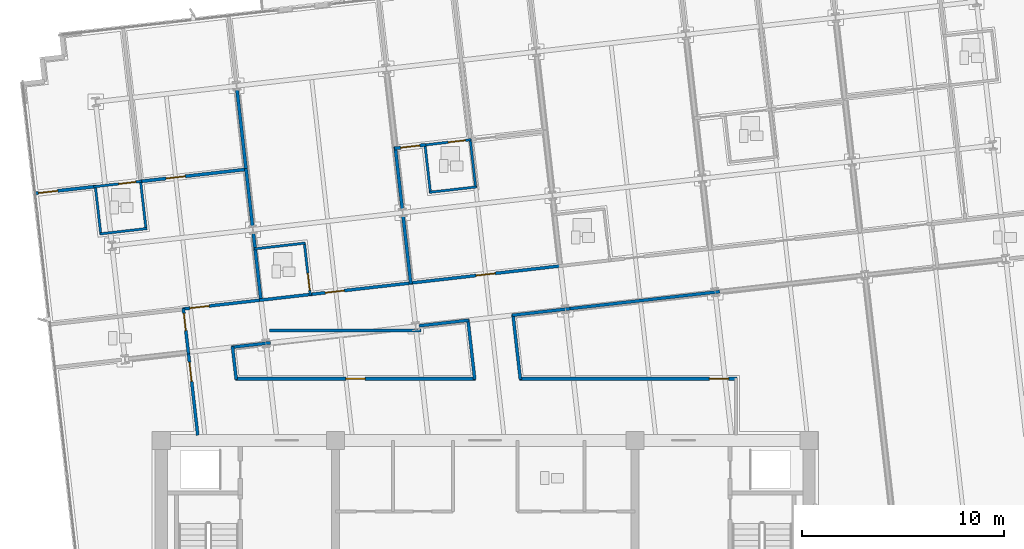
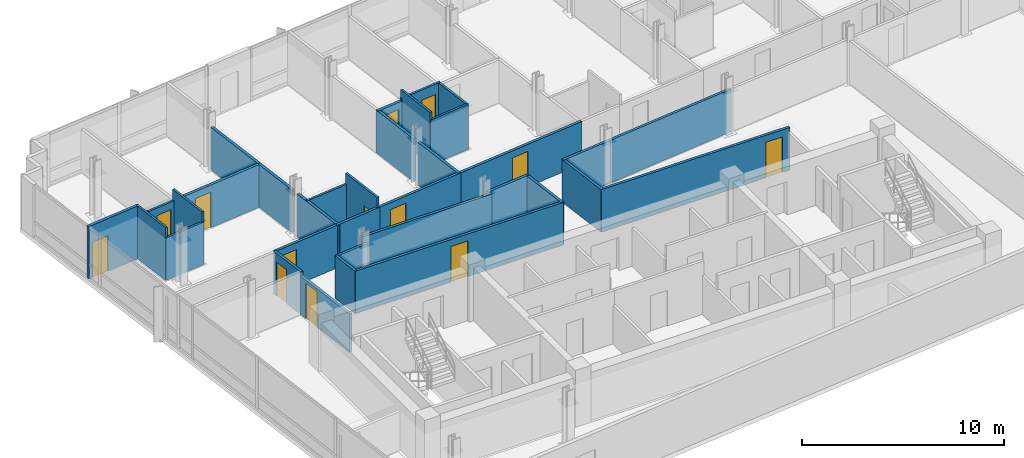
# One storey, part 9 of 17: 34 walls, 13 doors, 13 openings.
"""IFC4 building model written with IfcOpenShell, lengths in metres."""

from ifc_helpers import new_model, si_unit, direction, frame, frame_2d, origin, place, context, subcontext, project, spatial, rectangle, extrude, material, layer, layer_set, type_object, element, fill, save


model = new_model("IFC4")

# Units and contexts
model_context = context("Model", 3, precision=1e-05, world=origin(), true_north=direction((0.0, 1.0)))
body_context = subcontext(model_context, "Body", "Model", "MODEL_VIEW")
ifc_project = project(units=[si_unit("LENGTHUNIT", "METRE"), si_unit("AREAUNIT", "SQUARE_METRE"), si_unit("VOLUMEUNIT", "CUBIC_METRE"), si_unit("PLANEANGLEUNIT", "RADIAN"), si_unit("MASSUNIT", "GRAM", prefix="KILO")], contexts=[model_context])

# Site, building, storey
site_placement = place(None, origin())
site = spatial("IfcSite", under=ifc_project, at=site_placement, CompositionType="ELEMENT")
building_placement = place(site_placement, origin())
building = spatial("IfcBuilding", under=site, at=building_placement, Name="Solmavex Isthmus Hotel", CompositionType="ELEMENT")
storey_placement = place(building_placement, frame((0.0, 0.0, 202.050048828125)))
storey = spatial("IfcBuildingStorey", under=building, at=storey_placement, Name="L54", CompositionType="ELEMENT", Elevation=202.050048828125)

# Wall, opening, door
ifc_material_1 = material(Name="Gypsum plasterboard lining", Category="gypsum")
ifc_layer_1 = layer(ifc_material_1, 0.159912109375)
ifc_layer_set_1 = layer_set([ifc_layer_1], Name="Gypsum plasterboard lining")
wall_type_1 = type_object("IfcWallType", Name="IW-COMP-160", PredefinedType="PARTITIONING", material=ifc_layer_set_1)
wall_1_placement = place(storey_placement, frame((-22.273193359375, 9.701171875, 0.0), z_axis=(0.0, 0.0, 1.0), x_axis=(0.993565909035, 0.113255394587, 0.0)))
wall_1 = element("IfcWall", 1, at=wall_1_placement, inside=storey, type_object=wall_type_1, Name="Interior Partition Wall W-L54-P025", PredefinedType="PARTITIONING", context=body_context, shape_type="SweptSolid", body=[
    extrude(rectangle(XDim=3.073974609375, YDim=0.159912109375, at=frame_2d((1.537109375, 0.0))), origin(), (0.0, 0.0, 1.0), 3.18994140625),
])
opening_1_placement = place(wall_1_placement, frame((0.2099609375, 0.0, 0.0)))
opening_1 = element("IfcOpeningElement", 2, at=opening_1_placement, cuts=wall_1, Name="Opening ID-C095", PredefinedType="OPENING", context=body_context, shape_type="SweptSolid", body=[
    extrude(rectangle(XDim=0.949951171875, YDim=2.14990234375, at=frame_2d((0.47509765625, 1.074951171875))), frame((0.0, 0.08984375, 0.0), z_axis=(0.0, -1.0, 0.0), x_axis=(1.0, 0.0, 0.0)), (0.0, 0.0, 1.0), 0.179931640625),
])
ifc_material_2 = material(Name="Hardwood timber", Category="wood")
door_type_1 = type_object("IfcDoorType", Name="IDR-FD60-0950", OperationType="NOTDEFINED", PredefinedType="DOOR", material=ifc_material_2)
door_1_placement = place(opening_1_placement, origin())
door_1 = element("IfcDoor", 3, at=door_1_placement, inside=storey, type_object=door_type_1, Name="Diplomatic Suite Master Bedroom Door L54-02", OperationType="SINGLE_SWING_RIGHT", OverallHeight=2.14990234375, OverallWidth=0.949951171875, PredefinedType="DOOR", context=body_context, shape_type="SweptSolid", body=[
    extrude(rectangle(XDim=0.949951171875, YDim=2.14990234375, at=frame_2d((0.47509765625, 1.074951171875))), frame((0.0, 0.02490234375, 0.0), z_axis=(0.0, -1.0, 0.0), x_axis=(1.0, 0.0, 0.0)), (0.0, 0.0, 1.0), 0.050048828125),
])
fill(opening_1, door_1)

wall_2_placement = place(storey_placement, frame((-17.06298828125, 10.294921875, 0.0), z_axis=(0.0, 0.0, 1.0), x_axis=(0.993570013337, 0.113219382606, 0.0)))
wall_2 = element("IfcWall", 4, at=wall_2_placement, inside=storey, type_object=wall_type_1, Name="Interior Partition Wall W-L54-P026", PredefinedType="PARTITIONING", context=body_context, shape_type="SweptSolid", body=[
    extrude(rectangle(XDim=5.323974609375, YDim=0.159912109375, at=frame_2d((2.662109375, 0.0))), origin(), (0.0, 0.0, 1.0), 2.572265625),
])
opening_2_placement = place(wall_2_placement, frame((1.305908203125, 0.0, 0.0)))
opening_2 = element("IfcOpeningElement", 5, at=opening_2_placement, cuts=wall_2, Name="Opening ID-C095", PredefinedType="OPENING", context=body_context, shape_type="SweptSolid", body=[
    extrude(rectangle(XDim=0.949951171875, YDim=2.14990234375, at=frame_2d((0.47509765625, 1.074951171875))), frame((0.0, 0.08984375, 0.0), z_axis=(0.0, -1.0, 0.0), x_axis=(1.0, 0.0, 0.0)), (0.0, 0.0, 1.0), 0.179931640625),
])
door_2_placement = place(opening_2_placement, origin())
door_2 = element("IfcDoor", 6, at=door_2_placement, inside=storey, type_object=door_type_1, Name="Diplomatic Suite Panorama Sitting Study Door L54-03", OperationType="SINGLE_SWING_LEFT", OverallHeight=2.14990234375, OverallWidth=0.949951171875, PredefinedType="DOOR", context=body_context, shape_type="SweptSolid", body=[
    extrude(rectangle(XDim=0.949951171875, YDim=2.14990234375, at=frame_2d((0.47509765625, 1.074951171875))), frame((0.0, 0.02490234375, 0.0), z_axis=(0.0, -1.0, 0.0), x_axis=(1.0, 0.0, 0.0)), (0.0, 0.0, 1.0), 0.050048828125),
])
fill(opening_2, door_2)

# Walls
wall_3_placement = place(storey_placement, frame((-11.817626953125, 10.932861328125, 0.0), z_axis=(0.0, 0.0, 1.0), x_axis=(0.113219576825, -0.993569991205, 0.0)))
element("IfcWall", 7, at=wall_3_placement, inside=storey, type_object=wall_type_1, Name="Interior Partition Wall W-L54-P030", PredefinedType="PARTITIONING", context=body_context, shape_type="SweptSolid", body=[
    extrude(rectangle(XDim=2.863525390625, YDim=0.159912109375, at=frame_2d((1.431640625, 0.0))), origin(), (0.0, 0.0, 1.0), 2.572265625),
])
wall_4_placement = place(storey_placement, frame((-11.453369140625, 7.737060546875, 0.0), z_axis=(0.0, 0.0, 1.0), x_axis=(0.113229088195, -0.993568907317, 0.0)))
element("IfcWall", 8, at=wall_4_placement, inside=storey, type_object=wall_type_1, Name="Interior Partition Wall W-L54-P031", PredefinedType="PARTITIONING", context=body_context, shape_type="SweptSolid", body=[
    extrude(rectangle(XDim=3.361572265625, YDim=0.159912109375, at=frame_2d((1.6806640625, 0.0))), origin(), (0.0, 0.0, 1.0), 2.572265625),
])
wall_5_placement = place(storey_placement, frame((-12.262939453125, 14.84326171875, 0.0), z_axis=(0.0, 0.0, 1.0), x_axis=(0.11320023419, -0.993572195152, 0.0)))
element("IfcWall", 9, at=wall_5_placement, inside=storey, type_object=wall_type_1, Name="Interior Partition Wall W-L54-P036", PredefinedType="PARTITIONING", context=body_context, shape_type="SweptSolid", body=[
    extrude(rectangle(XDim=4.015869140625, YDim=0.159912109375, at=frame_2d((2.0078125, 0.0))), origin(), (0.0, 0.0, 1.0), 2.572265625),
])
wall_6_placement = place(storey_placement, frame((-4.44677734375, 12.01611328125, 0.0), z_axis=(0.0, 0.0, 1.0), x_axis=(0.113200718534, -0.993572139969, 0.0)))
element("IfcWall", 10, at=wall_6_placement, inside=storey, type_object=wall_type_1, Name="Interior Partition Wall W-L54-P039", PredefinedType="PARTITIONING", context=body_context, shape_type="SweptSolid", body=[
    extrude(rectangle(XDim=3.105712890625, YDim=0.159912109375, at=frame_2d((1.552734375, 0.0))), origin(), (0.0, 0.0, 1.0), 2.572265625),
])
wall_7_placement = place(storey_placement, frame((-4.05517578125, 8.580078125, 0.0), z_axis=(0.0, 0.0, 1.0), x_axis=(0.113149223935, -0.993578005555, 0.0)))
element("IfcWall", 11, at=wall_7_placement, inside=storey, type_object=wall_type_1, Name="Interior Partition Wall W-L54-P040", PredefinedType="PARTITIONING", context=body_context, shape_type="SweptSolid", body=[
    extrude(rectangle(XDim=3.361572265625, YDim=0.159912109375, at=frame_2d((1.6806640625, 0.0))), origin(), (0.0, 0.0, 1.0), 2.572265625),
])

# Wall, opening, door
wall_8_placement = place(storey_placement, frame((-4.477294921875, 11.93017578125, 0.0), z_axis=(0.0, 0.0, 1.0), x_axis=(0.993573147212, 0.113191877531, 0.0)))
wall_8 = element("IfcWall", 12, at=wall_8_placement, inside=storey, type_object=wall_type_1, Name="Interior Partition Wall W-L54-P043", PredefinedType="PARTITIONING", context=body_context, shape_type="SweptSolid", body=[
    extrude(rectangle(XDim=1.552978515625, YDim=0.159912109375, at=frame_2d((0.7763671875, 0.0))), origin(), (0.0, 0.0, 1.0), 2.572265625),
])
opening_3_placement = place(wall_8_placement, frame((0.301513671875, 0.0, 0.0)))
opening_3 = element("IfcOpeningElement", 13, at=opening_3_placement, cuts=wall_8, Name="Opening ID-C095", PredefinedType="OPENING", context=body_context, shape_type="SweptSolid", body=[
    extrude(rectangle(XDim=0.949951171875, YDim=2.14990234375, at=frame_2d((0.47509765625, 1.074951171875))), frame((0.0, 0.08984375, 0.0), z_axis=(0.0, -1.0, 0.0), x_axis=(1.0, 0.0, 0.0)), (0.0, 0.0, 1.0), 0.179931640625),
])
door_3_placement = place(opening_3_placement, origin())
door_3 = element("IfcDoor", 14, at=door_3_placement, inside=storey, type_object=door_type_1, Name="Diplomatic Hospitality Suite Bedroom Door L54-08", OperationType="SINGLE_SWING_RIGHT", OverallHeight=2.14990234375, OverallWidth=0.949951171875, PredefinedType="DOOR", context=body_context, shape_type="SweptSolid", body=[
    extrude(rectangle(XDim=0.949951171875, YDim=2.14990234375, at=frame_2d((0.47509765625, 1.074951171875))), frame((0.0, 0.02490234375, 0.0), z_axis=(0.0, -1.0, 0.0), x_axis=(1.0, 0.0, 0.0)), (0.0, 0.0, 1.0), 0.050048828125),
])
fill(opening_3, door_3)

ifc_layer_2 = layer(ifc_material_1, 0.14990234375)
ifc_layer_set_2 = layer_set([ifc_layer_2], Name="Gypsum plasterboard lining")
wall_type_2 = type_object("IfcWallType", Name="IW-CORR-150", PredefinedType="PARTITIONING", material=ifc_layer_set_2)
wall_9_placement = place(storey_placement, frame((-14.950439453125, 3.99560546875, 0.0), z_axis=(0.0, 0.0, 1.0), x_axis=(0.993575504711, 0.11317118201, 0.0)))
wall_9 = element("IfcWall", 15, at=wall_9_placement, inside=storey, type_object=wall_type_2, Name="Interior Partition Wall W-L54-P001", PredefinedType="PARTITIONING", context=body_context, shape_type="SweptSolid", body=[
    extrude(rectangle(XDim=3.980224609375, YDim=0.14990234375, at=frame_2d((1.990234375, 0.0))), origin(), (0.0, 0.0, 1.0), 2.572265625),
])
opening_4_placement = place(wall_9_placement, frame((0.368408203125, 0.0, 0.0)))
opening_4 = element("IfcOpeningElement", 16, at=opening_4_placement, cuts=wall_9, Name="Opening ID-C095", PredefinedType="OPENING", context=body_context, shape_type="SweptSolid", body=[
    extrude(rectangle(XDim=0.949951171875, YDim=2.14990234375, at=frame_2d((0.47509765625, 1.074951171875))), frame((0.0, 0.0849609375, 0.0), z_axis=(0.0, -1.0, 0.0), x_axis=(1.0, 0.0, 0.0)), (0.0, 0.0, 1.0), 0.169921875),
])
door_4_placement = place(opening_4_placement, origin())
door_4 = element("IfcDoor", 17, at=door_4_placement, inside=storey, type_object=door_type_1, Name="Diplomatic Suite Living Salon Door L54-01", OperationType="SINGLE_SWING_LEFT", OverallHeight=2.14990234375, OverallWidth=0.949951171875, PredefinedType="DOOR", context=body_context, shape_type="SweptSolid", body=[
    extrude(rectangle(XDim=0.949951171875, YDim=2.14990234375, at=frame_2d((0.47509765625, 1.074951171875))), frame((0.0, 0.02490234375, 0.0), z_axis=(0.0, -1.0, 0.0), x_axis=(1.0, 0.0, 0.0)), (0.0, 0.0, 1.0), 0.050048828125),
])
fill(opening_4, door_4)

wall_10_placement = place(storey_placement, frame((-8.724609375, 4.704833984375, 0.0), z_axis=(0.0, 0.0, 1.0), x_axis=(0.993569374626, 0.113224987546, 0.0)))
wall_10 = element("IfcWall", 18, at=wall_10_placement, inside=storey, type_object=wall_type_2, Name="Interior Partition Wall W-L54-P002", PredefinedType="PARTITIONING", context=body_context, shape_type="SweptSolid", body=[
    extrude(rectangle(XDim=5.159912109375, YDim=0.14990234375, at=frame_2d((2.580078125, 0.0))), origin(), (0.0, 0.0, 1.0), 2.572265625),
])
opening_5_placement = place(wall_10_placement, frame((0.82470703125, 0.0, 0.0)))
opening_5 = element("IfcOpeningElement", 19, at=opening_5_placement, cuts=wall_10, Name="Opening ID-C095", PredefinedType="OPENING", context=body_context, shape_type="SweptSolid", body=[
    extrude(rectangle(XDim=0.949951171875, YDim=2.14990234375, at=frame_2d((0.47509765625, 1.074951171875))), frame((0.0, 0.0849609375, 0.0), z_axis=(0.0, -1.0, 0.0), x_axis=(1.0, 0.0, 0.0)), (0.0, 0.0, 1.0), 0.169921875),
])
door_5_placement = place(opening_5_placement, origin())
door_5 = element("IfcDoor", 20, at=door_5_placement, inside=storey, type_object=door_type_1, Name="Premier Suite Door L54-05", OperationType="SINGLE_SWING_LEFT", OverallHeight=2.14990234375, OverallWidth=0.949951171875, PredefinedType="DOOR", context=body_context, shape_type="SweptSolid", body=[
    extrude(rectangle(XDim=0.949951171875, YDim=2.14990234375, at=frame_2d((0.47509765625, 1.074951171875))), frame((0.0, 0.02490234375, 0.0), z_axis=(0.0, -1.0, 0.0), x_axis=(1.0, 0.0, 0.0)), (0.0, 0.0, 1.0), 0.050048828125),
])
fill(opening_5, door_5)

# Wall
wall_11_placement = place(storey_placement, frame((-11.158935546875, 4.427490234375, 0.0), z_axis=(0.0, 0.0, 1.0), x_axis=(0.993572349416, 0.113198880193, 0.0)))
element("IfcWall", 21, at=wall_11_placement, inside=storey, type_object=wall_type_2, Name="Interior Partition Wall W-L54-P003", PredefinedType="PARTITIONING", context=body_context, shape_type="SweptSolid", body=[
    extrude(rectangle(XDim=2.614013671875, YDim=0.14990234375, at=frame_2d((1.30712890625, 0.0))), origin(), (0.0, 0.0, 1.0), 2.572265625),
])

# Wall, opening, door
wall_12_placement = place(storey_placement, frame((-3.7607421875, 5.2705078125, 0.0), z_axis=(0.0, 0.0, 1.0), x_axis=(0.993570360949, 0.113216332056, 0.0)))
wall_12 = element("IfcWall", 22, at=wall_12_placement, inside=storey, type_object=wall_type_2, Name="Interior Partition Wall W-L54-P004", PredefinedType="PARTITIONING", context=body_context, shape_type="SweptSolid", body=[
    extrude(rectangle(XDim=7.60986328125, YDim=0.14990234375, at=frame_2d((3.804931640625, 0.0))), origin(), (0.0, 0.0, 1.0), 2.572265625),
])
opening_6_placement = place(wall_12_placement, frame((3.330078125, 0.0, 0.0)))
opening_6 = element("IfcOpeningElement", 23, at=opening_6_placement, cuts=wall_12, Name="Opening ID-C095", PredefinedType="OPENING", context=body_context, shape_type="SweptSolid", body=[
    extrude(rectangle(XDim=0.949951171875, YDim=2.14990234375, at=frame_2d((0.47509765625, 1.074951171875))), frame((0.0, 0.0849609375, 0.0), z_axis=(0.0, -1.0, 0.0), x_axis=(1.0, 0.0, 0.0)), (0.0, 0.0, 1.0), 0.169921875),
])
door_6_placement = place(opening_6_placement, origin())
door_6 = element("IfcDoor", 24, at=door_6_placement, inside=storey, type_object=door_type_1, Name="Diplomatic Hospitality Suite Reception Foyer Door L54-07", OperationType="SINGLE_SWING_LEFT", OverallHeight=2.14990234375, OverallWidth=0.949951171875, PredefinedType="DOOR", context=body_context, shape_type="SweptSolid", body=[
    extrude(rectangle(XDim=0.949951171875, YDim=2.14990234375, at=frame_2d((0.47509765625, 1.074951171875))), frame((0.0, 0.02490234375, 0.0), z_axis=(0.0, -1.0, 0.0), x_axis=(1.0, 0.0, 0.0)), (0.0, 0.0, 1.0), 0.050048828125),
])
fill(opening_6, door_6)

wall_13_placement = place(storey_placement, frame((-14.657958984375, 1.782470703125, 0.0), z_axis=(0.0, 0.0, 1.0), x_axis=(-0.113179685294, 0.993574536125, 0.0)))
wall_13 = element("IfcWall", 25, at=wall_13_placement, inside=storey, type_object=wall_type_2, Name="Interior Partition Wall W-L54-P009", PredefinedType="PARTITIONING", context=body_context, shape_type="SweptSolid", body=[
    extrude(rectangle(XDim=2.251953125, YDim=0.14990234375, at=frame_2d((1.1259765625, 0.0))), origin(), (0.0, 0.0, 1.0), 2.572265625),
])
opening_7_placement = place(wall_13_placement, frame((1.156982421875, 0.0, 0.0)))
opening_7 = element("IfcOpeningElement", 26, at=opening_7_placement, cuts=wall_13, Name="Opening ID-R085", PredefinedType="OPENING", context=body_context, shape_type="SweptSolid", body=[
    extrude(rectangle(XDim=0.85009765625, YDim=2.050048828125, at=frame_2d((0.425048828125, 1.02490234375))), frame((0.0, 0.0849609375, 0.0), z_axis=(0.0, -1.0, 0.0), x_axis=(1.0, 0.0, 0.0)), (0.0, 0.0, 1.0), 0.169921875),
])
ifc_material_3 = material(Name="Steel ASTM A500 Grade C", Category="steel")
door_type_2 = type_object("IfcDoorType", Name="IDR-FD60-0850", OperationType="NOTDEFINED", PredefinedType="DOOR", material=ifc_material_3)
door_7_placement = place(opening_7_placement, frame((0.85009765625, 0.0, 0.0), z_axis=(0.0, 0.0, 1.0), x_axis=(-1.0, 0.0, 0.0)))
door_7 = element("IfcDoor", 27, at=door_7_placement, inside=storey, type_object=door_type_2, Name="Accessible Public Restroom WC Door L54-21", OperationType="SINGLE_SWING_LEFT", OverallHeight=2.050048828125, OverallWidth=0.85009765625, PredefinedType="DOOR", context=body_context, shape_type="SweptSolid", body=[
    extrude(rectangle(XDim=0.85009765625, YDim=2.050048828125, at=frame_2d((0.425048828125, 1.02490234375))), frame((0.0, 0.02490234375, 0.0), z_axis=(0.0, -1.0, 0.0), x_axis=(1.0, 0.0, 0.0)), (0.0, 0.0, 1.0), 0.050048828125),
])
fill(opening_7, door_7)

# Walls
wall_14_placement = place(storey_placement, frame((-10.6064453125, 2.32666015625, 0.0), z_axis=(0.0, 0.0, 1.0), x_axis=(-0.993564486687, -0.113267871856, 0.0)))
element("IfcWall", 28, at=wall_14_placement, inside=storey, type_object=wall_type_2, Name="Interior Partition Wall W-L54-P011", PredefinedType="PARTITIONING", context=body_context, shape_type="SweptSolid", body=[
    extrude(rectangle(XDim=1.927001953125, YDim=0.14990234375, at=frame_2d((0.96337890625, 0.0))), origin(), (0.0, 0.0, 1.0), 2.572265625),
])
wall_15_placement = place(storey_placement, frame((-12.48583984375, 2.15283203125, 0.0), z_axis=(0.0, 0.0, 1.0), x_axis=(0.113121752139, -0.993581133674, 0.0)))
element("IfcWall", 29, at=wall_15_placement, inside=storey, type_object=wall_type_2, Name="Interior Partition Wall W-L54-P012", PredefinedType="PARTITIONING", context=body_context, shape_type="SweptSolid", body=[
    extrude(rectangle(XDim=1.653076171875, YDim=0.14990234375, at=frame_2d((0.82666015625, 0.0))), origin(), (0.0, 0.0, 1.0), 2.572265625),
])

# Wall, opening, door
wall_16_placement = place(storey_placement, frame((-12.34326171875, 0.550048828125, 0.0), z_axis=(0.0, 0.0, 1.0), x_axis=(1.0, 0.0, 0.0)))
wall_16 = element("IfcWall", 30, at=wall_16_placement, inside=storey, type_object=wall_type_2, Name="Interior Partition Wall W-L54-P013", PredefinedType="PARTITIONING", context=body_context, shape_type="SweptSolid", body=[
    extrude(rectangle(XDim=11.86279296875, YDim=0.14990234375, at=frame_2d((5.931396484375, 0.0))), origin(), (0.0, 0.0, 1.0), 2.572265625),
])
opening_8_placement = place(wall_16_placement, frame((5.456298828125, 0.0, 0.0)))
opening_8 = element("IfcOpeningElement", 31, at=opening_8_placement, cuts=wall_16, Name="Opening ID-C095", PredefinedType="OPENING", context=body_context, shape_type="SweptSolid", body=[
    extrude(rectangle(XDim=0.949951171875, YDim=2.14990234375, at=frame_2d((0.47509765625, 1.074951171875))), frame((0.0, 0.0849609375, 0.0), z_axis=(0.0, -1.0, 0.0), x_axis=(1.0, 0.0, 0.0)), (0.0, 0.0, 1.0), 0.169921875),
])
door_8_placement = place(opening_8_placement, origin())
door_8 = element("IfcDoor", 32, at=door_8_placement, inside=storey, type_object=door_type_1, Name="Executive Meeting Room Door L54-23", OperationType="SINGLE_SWING_LEFT", OverallHeight=2.14990234375, OverallWidth=0.949951171875, PredefinedType="DOOR", context=body_context, shape_type="SweptSolid", body=[
    extrude(rectangle(XDim=0.949951171875, YDim=2.14990234375, at=frame_2d((0.47509765625, 1.074951171875))), frame((0.0, 0.02490234375, 0.0), z_axis=(0.0, -1.0, 0.0), x_axis=(1.0, 0.0, 0.0)), (0.0, 0.0, 1.0), 0.050048828125),
])
fill(opening_8, door_8)

# Walls
wall_17_placement = place(storey_placement, frame((-0.515869140625, 0.51025390625, 0.0), z_axis=(0.0, 0.0, 1.0), x_axis=(-0.113283799092, 0.993562670828, 0.0)))
element("IfcWall", 33, at=wall_17_placement, inside=storey, type_object=wall_type_2, Name="Interior Partition Wall W-L54-P014", PredefinedType="PARTITIONING", context=body_context, shape_type="SweptSolid", body=[
    extrude(rectangle(XDim=2.987060546875, YDim=0.14990234375, at=frame_2d((1.49365234375, 0.0))), origin(), (0.0, 0.0, 1.0), 2.572265625),
])
wall_18_placement = place(storey_placement, frame((-0.809814453125, 3.44287109375, 0.0), z_axis=(0.0, 0.0, 1.0), x_axis=(-0.993568355418, -0.113233930922, 0.0)))
element("IfcWall", 34, at=wall_18_placement, inside=storey, type_object=wall_type_2, Name="Interior Partition Wall W-L54-P015", PredefinedType="PARTITIONING", context=body_context, shape_type="SweptSolid", body=[
    extrude(rectangle(XDim=2.466552734375, YDim=0.14990234375, at=frame_2d((1.2333984375, 0.0))), origin(), (0.0, 0.0, 1.0), 2.572265625),
])
wall_19_placement = place(storey_placement, frame((-3.180908203125, 2.9287109375, 0.0), z_axis=(0.0, 0.0, 1.0), x_axis=(-1.0, 0.0, 0.0)))
element("IfcWall", 35, at=wall_19_placement, inside=storey, type_object=wall_type_2, Name="Interior Partition Wall W-L54-P016", PredefinedType="PARTITIONING", context=body_context, shape_type="SweptSolid", body=[
    extrude(rectangle(XDim=7.477783203125, YDim=0.14990234375, at=frame_2d((3.73876953125, 0.0))), origin(), (0.0, 0.0, 1.0), 2.572265625),
])

# Wall, opening, door
wall_20_placement = place(storey_placement, frame((-14.19970703125, -2.23974609375, 0.0), z_axis=(0.0, 0.0, 1.0), x_axis=(-0.11319839611, 0.993572404568, 0.0)))
wall_20 = element("IfcWall", 36, at=wall_20_placement, inside=storey, type_object=wall_type_2, Name="Interior Partition Wall W-L54-P017", PredefinedType="PARTITIONING", context=body_context, shape_type="SweptSolid", body=[
    extrude(rectangle(XDim=4.212158203125, YDim=0.14990234375, at=frame_2d((2.10595703125, 0.0))), origin(), (0.0, 0.0, 1.0), 2.324951171875),
])
opening_9_placement = place(wall_20_placement, frame((2.67236328125, 0.0, 0.0)))
opening_9 = element("IfcOpeningElement", 37, at=opening_9_placement, cuts=wall_20, Name="Opening ID-C095", PredefinedType="OPENING", context=body_context, shape_type="SweptSolid", body=[
    extrude(rectangle(XDim=0.949951171875, YDim=2.14990234375, at=frame_2d((0.47509765625, 1.074951171875))), frame((0.0, 0.0849609375, 0.0), z_axis=(0.0, -1.0, 0.0), x_axis=(1.0, 0.0, 0.0)), (0.0, 0.0, 1.0), 0.169921875),
])
door_9_placement = place(opening_9_placement, frame((0.949951171875, 0.0, 0.0), z_axis=(0.0, 0.0, 1.0), x_axis=(-1.0, 0.0, 0.0)))
door_9 = element("IfcDoor", 38, at=door_9_placement, inside=storey, type_object=door_type_1, Name="Club Lounge Door L54-24", OperationType="SINGLE_SWING_RIGHT", OverallHeight=2.14990234375, OverallWidth=0.949951171875, PredefinedType="DOOR", context=body_context, shape_type="SweptSolid", body=[
    extrude(rectangle(XDim=0.949951171875, YDim=2.14990234375, at=frame_2d((0.47509765625, 1.074951171875))), frame((0.0, 0.02490234375, 0.0), z_axis=(0.0, -1.0, 0.0), x_axis=(1.0, 0.0, 0.0)), (0.0, 0.0, 1.0), 0.050048828125),
])
fill(opening_9, door_9)

# Walls
wall_21_placement = place(storey_placement, frame((4.18994140625, 4.012451171875, 0.0), z_axis=(0.0, 0.0, 1.0), x_axis=(-0.99356987962, -0.113220556049, 0.0)))
element("IfcWall", 39, at=wall_21_placement, inside=storey, type_object=wall_type_2, Name="Interior Partition Wall W-L54-P018", PredefinedType="PARTITIONING", context=body_context, shape_type="SweptSolid", body=[
    extrude(rectangle(XDim=2.872314453125, YDim=0.14990234375, at=frame_2d((1.43603515625, 0.0))), origin(), (0.0, 0.0, 1.0), 2.572265625),
])
wall_22_placement = place(storey_placement, frame((1.37158203125, 3.731689453125, 0.0), z_axis=(0.0, 0.0, 1.0), x_axis=(0.113174940517, -0.993575076599, 0.0)))
element("IfcWall", 40, at=wall_22_placement, inside=storey, type_object=wall_type_2, Name="Interior Partition Wall W-L54-P019", PredefinedType="PARTITIONING", context=body_context, shape_type="SweptSolid", body=[
    extrude(rectangle(XDim=3.2421875, YDim=0.14990234375, at=frame_2d((1.62109375, 0.0))), origin(), (0.0, 0.0, 1.0), 2.572265625),
])

# Wall, opening, door
wall_23_placement = place(storey_placement, frame((1.694091796875, 0.550048828125, 0.0), z_axis=(0.0, 0.0, 1.0), x_axis=(1.0, 0.0, 0.0)))
wall_23 = element("IfcWall", 41, at=wall_23_placement, inside=storey, type_object=wall_type_2, Name="Interior Partition Wall W-L54-P020", PredefinedType="PARTITIONING", context=body_context, shape_type="SweptSolid", body=[
    extrude(rectangle(XDim=10.745849609375, YDim=0.14990234375, at=frame_2d((5.373046875, 0.0))), origin(), (0.0, 0.0, 1.0), 2.572265625),
])
opening_10_placement = place(wall_23_placement, frame((9.377685546875, 0.0, 0.0)))
opening_10 = element("IfcOpeningElement", 42, at=opening_10_placement, cuts=wall_23, Name="Opening ID-C095", PredefinedType="OPENING", context=body_context, shape_type="SweptSolid", body=[
    extrude(rectangle(XDim=0.949951171875, YDim=2.14990234375, at=frame_2d((0.47509765625, 1.074951171875))), frame((0.0, 0.0849609375, 0.0), z_axis=(0.0, -1.0, 0.0), x_axis=(1.0, 0.0, 0.0)), (0.0, 0.0, 1.0), 0.169921875),
])
door_10_placement = place(opening_10_placement, frame((0.949951171875, 0.0, 0.0), z_axis=(0.0, 0.0, 1.0), x_axis=(-1.0, 0.0, 0.0)))
door_10 = element("IfcDoor", 43, at=door_10_placement, inside=storey, type_object=door_type_1, Name="Executive Meeting Room Door L54-26", OperationType="SINGLE_SWING_RIGHT", OverallHeight=2.14990234375, OverallWidth=0.949951171875, PredefinedType="DOOR", context=body_context, shape_type="SweptSolid", body=[
    extrude(rectangle(XDim=0.949951171875, YDim=2.14990234375, at=frame_2d((0.47509765625, 1.074951171875))), frame((0.0, 0.02490234375, 0.0), z_axis=(0.0, -1.0, 0.0), x_axis=(1.0, 0.0, 0.0)), (0.0, 0.0, 1.0), 0.050048828125),
])
fill(opening_10, door_10)

# Walls
wall_24_placement = place(storey_placement, frame((11.587890625, 4.855224609375, 0.0), z_axis=(0.0, 0.0, 1.0), x_axis=(-0.993575418148, -0.113171941983, 0.0)))
element("IfcWall", 44, at=wall_24_placement, inside=storey, type_object=wall_type_2, Name="Interior Partition Wall W-L54-P022", PredefinedType="PARTITIONING", context=body_context, shape_type="SweptSolid", body=[
    extrude(rectangle(XDim=7.49853515625, YDim=0.14990234375, at=frame_2d((3.749267578125, 0.0))), origin(), (0.0, 0.0, 1.0), 2.572265625),
])
ifc_layer_3 = layer(ifc_material_1, 0.1201171875)
ifc_layer_set_3 = layer_set([ifc_layer_3], Name="Gypsum plasterboard lining")
wall_type_3 = type_object("IfcWallType", Name="IW-PART-120", PredefinedType="PARTITIONING", material=ifc_layer_set_3)
wall_25_placement = place(storey_placement, frame((-19.263427734375, 10.08447265625, 0.0), z_axis=(0.0, 0.0, 1.0), x_axis=(0.113232053563, -0.993568569373, 0.0)))
element("IfcWall", 45, at=wall_25_placement, inside=storey, type_object=wall_type_3, Name="Interior Partition Wall W-L54-P027", PredefinedType="PARTITIONING", context=body_context, shape_type="SweptSolid", body=[
    extrude(rectangle(XDim=2.429931640625, YDim=0.1201171875, at=frame_2d((1.21484375, 0.0))), origin(), (0.0, 0.0, 1.0), 3.18994140625),
])
wall_26_placement = place(storey_placement, frame((-19.032470703125, 7.705322265625, 0.0), z_axis=(0.0, 0.0, 1.0), x_axis=(0.99357583204, 0.113168308226, 0.0)))
element("IfcWall", 46, at=wall_26_placement, inside=storey, type_object=wall_type_3, Name="Interior Partition Wall W-L54-P028", PredefinedType="PARTITIONING", context=body_context, shape_type="SweptSolid", body=[
    extrude(rectangle(XDim=2.329833984375, YDim=0.1201171875, at=frame_2d((1.1650390625, 0.0))), origin(), (0.0, 0.0, 1.0), 2.557373046875),
])
wall_27_placement = place(storey_placement, frame((-16.752685546875, 7.9248046875, 0.0), z_axis=(0.0, 0.0, 1.0), x_axis=(-0.113232053563, 0.993568569373, 0.0)))
element("IfcWall", 47, at=wall_27_placement, inside=storey, type_object=wall_type_3, Name="Interior Partition Wall W-L54-P029", PredefinedType="PARTITIONING", context=body_context, shape_type="SweptSolid", body=[
    extrude(rectangle(XDim=2.429931640625, YDim=0.1201171875, at=frame_2d((1.21484375, 0.0))), origin(), (0.0, 0.0, 1.0), 3.18994140625),
])

# Wall, opening, door
wall_28_placement = place(storey_placement, frame((-16.983642578125, 10.303955078125, 0.0), z_axis=(0.0, 0.0, 1.0), x_axis=(-0.993569776601, -0.113221460091, 0.0)))
wall_28 = element("IfcWall", 48, at=wall_28_placement, inside=storey, type_object=wall_type_3, Name="Interior Partition Wall W-L54-P034", PredefinedType="PARTITIONING", context=body_context, shape_type="SweptSolid", body=[
    extrude(rectangle(XDim=2.371826171875, YDim=0.1201171875, at=frame_2d((1.18603515625, 0.0))), origin(), (0.0, 0.0, 1.0), 2.557373046875),
])
opening_11_placement = place(wall_28_placement, frame((0.27978515625, 0.0, 0.0)))
opening_11 = element("IfcOpeningElement", 49, at=opening_11_placement, cuts=wall_28, Name="Opening ID-U085", PredefinedType="OPENING", context=body_context, shape_type="SweptSolid", body=[
    extrude(rectangle(XDim=0.85009765625, YDim=2.10009765625, at=frame_2d((0.425048828125, 1.050048828125))), frame((0.0, 0.070068359375, 0.0), z_axis=(0.0, -1.0, 0.0), x_axis=(1.0, 0.0, 0.0)), (0.0, 0.0, 1.0), 0.14013671875),
])
door_type_3 = type_object("IfcDoorType", Name="IDR-UNR-0850", OperationType="NOTDEFINED", PredefinedType="DOOR", material=ifc_material_2)
door_11_placement = place(opening_11_placement, frame((0.85009765625, 0.0, 0.0), z_axis=(0.0, 0.0, 1.0), x_axis=(-1.0, 0.0, 0.0)))
door_11 = element("IfcDoor", 50, at=door_11_placement, inside=storey, type_object=door_type_3, Name="En-suite Bathroom Door L54-04", OperationType="SINGLE_SWING_RIGHT", OverallHeight=2.10009765625, OverallWidth=0.85009765625, PredefinedType="DOOR", context=body_context, shape_type="SweptSolid", body=[
    extrude(rectangle(XDim=0.85009765625, YDim=2.10009765625, at=frame_2d((0.425048828125, 1.050048828125))), frame((0.0, 0.02490234375, 0.0), z_axis=(0.0, -1.0, 0.0), x_axis=(1.0, 0.0, 0.0)), (0.0, 0.0, 1.0), 0.050048828125),
])
fill(opening_11, door_11)

wall_29_placement = place(storey_placement, frame((-8.638671875, 4.674560546875, 0.0), z_axis=(0.0, 0.0, 1.0), x_axis=(-0.113161716754, 0.993576582786, 0.0)))
wall_29 = element("IfcWall", 51, at=wall_29_placement, inside=storey, type_object=wall_type_3, Name="Interior Partition Wall W-L54-P037", PredefinedType="PARTITIONING", context=body_context, shape_type="SweptSolid", body=[
    extrude(rectangle(XDim=2.6298828125, YDim=0.1201171875, at=frame_2d((1.31494140625, 0.0))), origin(), (0.0, 0.0, 1.0), 3.18994140625),
])
opening_12_placement = place(wall_29_placement, frame((0.247314453125, 0.0, 0.0)))
opening_12 = element("IfcOpeningElement", 52, at=opening_12_placement, cuts=wall_29, Name="Opening ID-U085", PredefinedType="OPENING", context=body_context, shape_type="SweptSolid", body=[
    extrude(rectangle(XDim=0.85009765625, YDim=2.10009765625, at=frame_2d((0.425048828125, 1.050048828125))), frame((0.0, 0.070068359375, 0.0), z_axis=(0.0, -1.0, 0.0), x_axis=(1.0, 0.0, 0.0)), (0.0, 0.0, 1.0), 0.14013671875),
])
door_12_placement = place(opening_12_placement, frame((0.85009765625, 0.0, 0.0), z_axis=(0.0, 0.0, 1.0), x_axis=(-1.0, 0.0, 0.0)))
door_12 = element("IfcDoor", 53, at=door_12_placement, inside=storey, type_object=door_type_3, Name="En-suite Bathroom Door L54-06", OperationType="SINGLE_SWING_RIGHT", OverallHeight=2.10009765625, OverallWidth=0.85009765625, PredefinedType="DOOR", context=body_context, shape_type="SweptSolid", body=[
    extrude(rectangle(XDim=0.85009765625, YDim=2.10009765625, at=frame_2d((0.425048828125, 1.050048828125))), frame((0.0, 0.02490234375, 0.0), z_axis=(0.0, -1.0, 0.0), x_axis=(1.0, 0.0, 0.0)), (0.0, 0.0, 1.0), 0.050048828125),
])
fill(opening_12, door_12)

# Walls
wall_30_placement = place(storey_placement, frame((-8.89208984375, 7.25244140625, 0.0), z_axis=(0.0, 0.0, 1.0), x_axis=(-0.993561877368, -0.113290757967, 0.0)))
element("IfcWall", 54, at=wall_30_placement, inside=storey, type_object=wall_type_3, Name="Interior Partition Wall W-L54-P038", PredefinedType="PARTITIONING", context=body_context, shape_type="SweptSolid", body=[
    extrude(rectangle(XDim=2.530029296875, YDim=0.1201171875, at=frame_2d((1.26513671875, 0.0))), origin(), (0.0, 0.0, 1.0), 2.572265625),
])
wall_31_placement = place(storey_placement, frame((-2.978515625, 12.14111328125, 0.0), z_axis=(0.0, 0.0, 1.0), x_axis=(0.113232053563, -0.993568569373, 0.0)))
element("IfcWall", 55, at=wall_31_placement, inside=storey, type_object=wall_type_3, Name="Interior Partition Wall W-L54-P045", PredefinedType="PARTITIONING", context=body_context, shape_type="SweptSolid", body=[
    extrude(rectangle(XDim=2.429931640625, YDim=0.1201171875, at=frame_2d((1.21484375, 0.0))), origin(), (0.0, 0.0, 1.0), 3.18994140625),
])
wall_32_placement = place(storey_placement, frame((-2.74755859375, 9.761962890625, 0.0), z_axis=(0.0, 0.0, 1.0), x_axis=(0.993564044581, 0.113271749862, 0.0)))
element("IfcWall", 56, at=wall_32_placement, inside=storey, type_object=wall_type_3, Name="Interior Partition Wall W-L54-P046", PredefinedType="PARTITIONING", context=body_context, shape_type="SweptSolid", body=[
    extrude(rectangle(XDim=2.329833984375, YDim=0.1201171875, at=frame_2d((1.1650390625, 0.0))), origin(), (0.0, 0.0, 1.0), 2.718017578125),
])
wall_33_placement = place(storey_placement, frame((-0.4677734375, 9.9814453125, 0.0), z_axis=(0.0, 0.0, 1.0), x_axis=(-0.11322075119, 0.993569857383, 0.0)))
element("IfcWall", 57, at=wall_33_placement, inside=storey, type_object=wall_type_3, Name="Interior Partition Wall W-L54-P047", PredefinedType="PARTITIONING", context=body_context, shape_type="SweptSolid", body=[
    extrude(rectangle(XDim=2.43017578125, YDim=0.1201171875, at=frame_2d((1.215087890625, 0.0))), origin(), (0.0, 0.0, 1.0), 2.718017578125),
])

# Wall, opening, door
wall_34_placement = place(storey_placement, frame((-0.69873046875, 12.360595703125, 0.0), z_axis=(0.0, 0.0, 1.0), x_axis=(-0.99358135033, -0.113119849167, 0.0)))
wall_34 = element("IfcWall", 58, at=wall_34_placement, inside=storey, type_object=wall_type_3, Name="Interior Partition Wall W-L54-P051", PredefinedType="PARTITIONING", context=body_context, shape_type="SweptSolid", body=[
    extrude(rectangle(XDim=2.371826171875, YDim=0.1201171875, at=frame_2d((1.18603515625, 0.0))), origin(), (0.0, 0.0, 1.0), 2.718017578125),
])
opening_13_placement = place(wall_34_placement, frame((0.27978515625, 0.0, 0.0)))
opening_13 = element("IfcOpeningElement", 59, at=opening_13_placement, cuts=wall_34, Name="Opening ID-U085", PredefinedType="OPENING", context=body_context, shape_type="SweptSolid", body=[
    extrude(rectangle(XDim=0.85009765625, YDim=2.10009765625, at=frame_2d((0.425048828125, 1.050048828125))), frame((0.0, 0.070068359375, 0.0), z_axis=(0.0, -1.0, 0.0), x_axis=(1.0, 0.0, 0.0)), (0.0, 0.0, 1.0), 0.14013671875),
])
door_13_placement = place(opening_13_placement, frame((0.85009765625, 0.0, 0.0), z_axis=(0.0, 0.0, 1.0), x_axis=(-1.0, 0.0, 0.0)))
door_13 = element("IfcDoor", 60, at=door_13_placement, inside=storey, type_object=door_type_3, Name="En-suite Bathroom Door L54-10", OperationType="SINGLE_SWING_RIGHT", OverallHeight=2.10009765625, OverallWidth=0.85009765625, PredefinedType="DOOR", context=body_context, shape_type="SweptSolid", body=[
    extrude(rectangle(XDim=0.85009765625, YDim=2.10009765625, at=frame_2d((0.425048828125, 1.050048828125))), frame((0.0, 0.02490234375, 0.0), z_axis=(0.0, -1.0, 0.0), x_axis=(1.0, 0.0, 0.0)), (0.0, 0.0, 1.0), 0.050048828125),
])
fill(opening_13, door_13)

save(model, "model.ifc")
